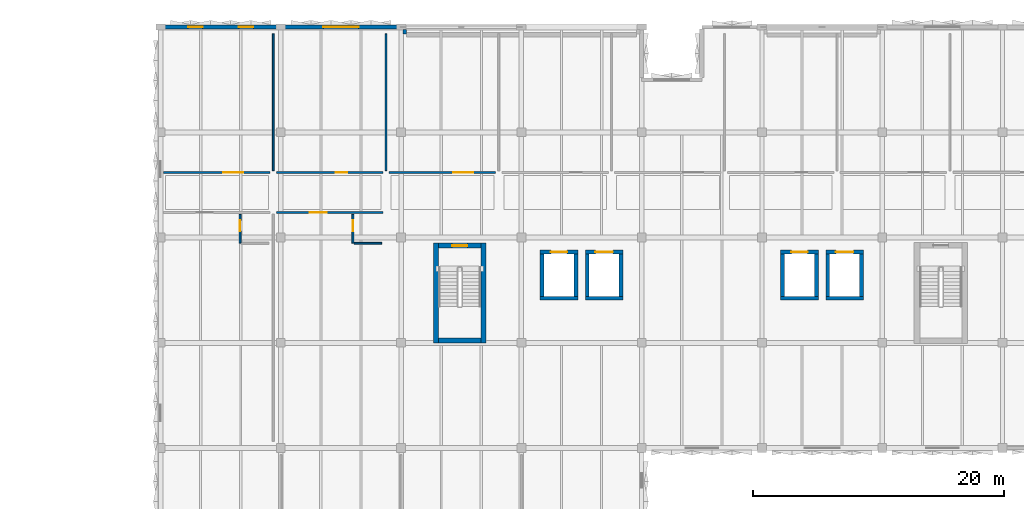
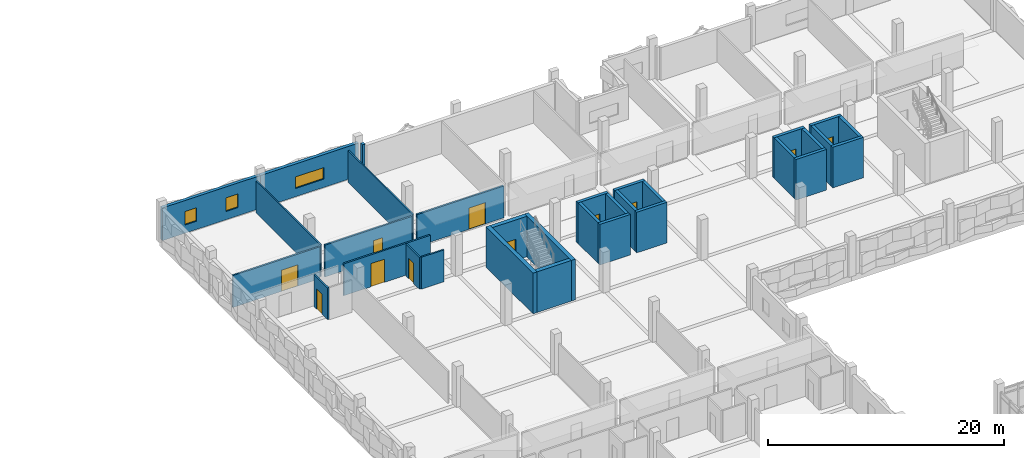
# One storey, part 45 of 57: 32 walls, 11 doors, 3 windows, 14 openings.
"""IFC4 building model written with IfcOpenShell, lengths in metres."""

from ifc_helpers import new_model, si_unit, direction, frame, frame_2d, origin, place, context, subcontext, project, spatial, rectangle, extrude, material, layer, layer_set, type_object, element, fill, save


model = new_model("IFC4")

# Units and contexts
model_context = context("Model", 3, precision=1e-05, world=origin(), true_north=direction((0.0, 1.0)))
body_context = subcontext(model_context, "Body", "Model", "MODEL_VIEW")
ifc_project = project(units=[si_unit("LENGTHUNIT", "METRE"), si_unit("AREAUNIT", "SQUARE_METRE"), si_unit("VOLUMEUNIT", "CUBIC_METRE"), si_unit("PLANEANGLEUNIT", "RADIAN"), si_unit("MASSUNIT", "GRAM", prefix="KILO")], contexts=[model_context])

# Site, building, storey
site_placement = place(None, origin())
site = spatial("IfcSite", under=ifc_project, at=site_placement, CompositionType="ELEMENT")
building_placement = place(site_placement, origin())
building = spatial("IfcBuilding", under=site, at=building_placement, Name="Oolite Switchyard Hospital", CompositionType="ELEMENT")
storey_placement = place(building_placement, frame((0.0, 0.0, 17.800048828125)))
storey = spatial("IfcBuildingStorey", under=building, at=storey_placement, Name="L04", CompositionType="ELEMENT", Elevation=17.800048828125)

# Wall
ifc_material_1 = material(Name="Precast oolitic limestone architectural concrete C40/50", Category="masonry")
ifc_layer_1 = layer(ifc_material_1, 0.260009765625)
ifc_layer_set_1 = layer_set([ifc_layer_1], Name="WAL-EXT-260")
wall_type_1 = type_object("IfcWallType", Name="WAL-EXT-260", PredefinedType="SOLIDWALL", material=ifc_layer_set_1)
wall_1_placement = place(storey_placement, frame((153.8798828125, 134.199951171875, 0.0), z_axis=(0.0, 0.0, 1.0), x_axis=(0.0, -1.0, 0.0)))
element("IfcWall", 1, at=wall_1_placement, inside=storey, type_object=wall_type_1, Name="L04 Brace Alcove Cheek Wall 273", PredefinedType="SOLIDWALL", context=body_context, shape_type="SweptSolid", body=[
    extrude(rectangle(XDim=0.35986328125, YDim=0.260009765625, at=frame_2d((0.179931640625, 0.0))), origin(), (0.0, 0.0, 1.0), 3.389892578125),
])

# Wall, openings, windows
ifc_layer_2 = layer(ifc_material_1, 0.300048828125)
ifc_layer_set_2 = layer_set([ifc_layer_2], Name="WAL-EXT-300")
wall_type_2 = type_object("IfcWallType", Name="WAL-EXT-300", PredefinedType="SOLIDWALL", material=ifc_layer_set_2)
wall_2_placement = place(storey_placement, frame((134.39990234375, 134.39990234375, 0.0), z_axis=(0.0, 0.0, 1.0), x_axis=(1.0, 0.0, 0.0)))
wall_2 = element("IfcWall", 2, at=wall_2_placement, inside=storey, type_object=wall_type_2, Name="L04 Exterior Spandrel Wall 271", PredefinedType="SOLIDWALL", context=body_context, shape_type="SweptSolid", body=[
    extrude(rectangle(XDim=9.60009765625, YDim=0.300048828125, at=frame_2d((4.800048828125, 0.0))), origin(), (0.0, 0.0, 1.0), 3.389892578125),
])
opening_1_placement = place(wall_2_placement, frame((2.197021484375, 0.0, 0.85009765625)))
opening_1 = element("IfcOpeningElement", 3, at=opening_1_placement, cuts=wall_2, Name="Opening WN-0166", PredefinedType="OPENING", context=body_context, shape_type="SweptSolid", body=[
    extrude(rectangle(XDim=1.14990234375, YDim=1.39990234375, at=frame_2d((0.574951171875, 0.699951171875))), frame((0.0, 0.16015625, 0.0), z_axis=(0.0, -1.0, 0.0), x_axis=(1.0, 0.0, 0.0)), (0.0, 0.0, 1.0), 0.320068359375),
])
opening_2_placement = place(wall_2_placement, frame((6.2529296875, 0.0, 0.85009765625)))
opening_2 = element("IfcOpeningElement", 4, at=opening_2_placement, cuts=wall_2, Name="Opening WN-0167", PredefinedType="OPENING", context=body_context, shape_type="SweptSolid", body=[
    extrude(rectangle(XDim=1.14990234375, YDim=1.39990234375, at=frame_2d((0.574951171875, 0.699951171875))), frame((0.0, 0.16015625, 0.0), z_axis=(0.0, -1.0, 0.0), x_axis=(1.0, 0.0, 0.0)), (0.0, 0.0, 1.0), 0.320068359375),
])
ifc_material_2 = material(Name="Thermally broken aluminum frame with laminated impact glazing", Category="aluminium")
window_type_1 = type_object("IfcWindowType", Name="WIN-IMP-115X140", PartitioningType="SINGLE_PANEL", PredefinedType="WINDOW", material=ifc_material_2)
window_1_placement = place(opening_1_placement, origin())
window_1 = element("IfcWindow", 5, at=window_1_placement, inside=storey, type_object=window_type_1, Name="L04 Hurricane Impact Window WN-0166", OverallHeight=1.39990234375, OverallWidth=1.14990234375, PartitioningType="SINGLE_PANEL", PredefinedType="WINDOW", context=body_context, shape_type="SweptSolid", body=[
    extrude(rectangle(XDim=1.14990234375, YDim=1.39990234375, at=frame_2d((0.574951171875, 0.699951171875))), frame((0.0, 0.030029296875, 0.0), z_axis=(0.0, -1.0, 0.0), x_axis=(1.0, 0.0, 0.0)), (0.0, 0.0, 1.0), 0.06005859375),
])
fill(opening_1, window_1)
window_2_placement = place(opening_2_placement, origin())
window_2 = element("IfcWindow", 6, at=window_2_placement, inside=storey, type_object=window_type_1, Name="L04 Hurricane Impact Window WN-0167", OverallHeight=1.39990234375, OverallWidth=1.14990234375, PartitioningType="SINGLE_PANEL", PredefinedType="WINDOW", context=body_context, shape_type="SweptSolid", body=[
    extrude(rectangle(XDim=1.14990234375, YDim=1.39990234375, at=frame_2d((0.574951171875, 0.699951171875))), frame((0.0, 0.030029296875, 0.0), z_axis=(0.0, -1.0, 0.0), x_axis=(1.0, 0.0, 0.0)), (0.0, 0.0, 1.0), 0.06005859375),
])
fill(opening_2, window_2)

# Wall, opening, window
ifc_layer_3 = layer(ifc_material_1, 0.320068359375)
ifc_layer_set_3 = layer_set([ifc_layer_3], Name="WAL-EXT-320")
wall_type_3 = type_object("IfcWallType", Name="WAL-EXT-320", PredefinedType="SOLIDWALL", material=ifc_layer_set_3)
wall_3_placement = place(storey_placement, frame((144.0, 134.39990234375, 0.0), z_axis=(0.0, 0.0, 1.0), x_axis=(1.0, 0.0, 0.0)))
wall_3 = element("IfcWall", 7, at=wall_3_placement, inside=storey, type_object=wall_type_3, Name="L04 Exterior Spandrel Wall 272", PredefinedType="SOLIDWALL", context=body_context, shape_type="SweptSolid", body=[
    extrude(rectangle(XDim=9.60009765625, YDim=0.320068359375, at=frame_2d((4.800048828125, 0.0))), origin(), (0.0, 0.0, 1.0), 3.389892578125),
])
opening_3_placement = place(wall_3_placement, frame((3.39990234375, 0.0, 0.85009765625)))
opening_3 = element("IfcOpeningElement", 8, at=opening_3_placement, cuts=wall_3, Name="Opening WN-0168", PredefinedType="OPENING", context=body_context, shape_type="SweptSolid", body=[
    extrude(rectangle(XDim=2.800048828125, YDim=1.199951171875, at=frame_2d((1.39990234375, 0.60009765625))), frame((0.0, 0.169921875, 0.0), z_axis=(0.0, -1.0, 0.0), x_axis=(1.0, 0.0, 0.0)), (0.0, 0.0, 1.0), 0.340087890625),
])
window_type_2 = type_object("IfcWindowType", Name="WIN-IMP-280X120", PartitioningType="SINGLE_PANEL", PredefinedType="WINDOW", material=ifc_material_2)
window_3_placement = place(opening_3_placement, origin())
window_3 = element("IfcWindow", 9, at=window_3_placement, inside=storey, type_object=window_type_2, Name="L04 Hurricane Impact Window WN-0168", OverallHeight=1.199951171875, OverallWidth=2.800048828125, PartitioningType="SINGLE_PANEL", PredefinedType="WINDOW", context=body_context, shape_type="SweptSolid", body=[
    extrude(rectangle(XDim=2.800048828125, YDim=1.199951171875, at=frame_2d((1.39990234375, 0.60009765625))), frame((0.0, 0.030029296875, 0.0), z_axis=(0.0, -1.0, 0.0), x_axis=(1.0, 0.0, 0.0)), (0.0, 0.0, 1.0), 0.06005859375),
])
fill(opening_3, window_3)

# Walls
ifc_material_3 = material(Name="Moisture-resistant gypsum board on steel studs", Category="steel")
ifc_layer_4 = layer(ifc_material_3, 0.135009765625)
ifc_layer_set_4 = layer_set([ifc_layer_4], Name="WAL-PART-135")
wall_type_4 = type_object("IfcWallType", Name="WAL-PART-135", PredefinedType="PARTITIONING", material=ifc_layer_set_4)
for number, where, z_axis, x_axis, name in (
    (10, (143.39990234375, 122.949951171875, 0.0), (0.0, 0.0, 1.0), (0.0, 1.0, 0.0), "L04 Interior Partition 772"),
    (11, (152.39990234375, 122.949951171875, 0.0), (0.0, 0.0, 1.0), (0.0, 1.0, 0.0), "L04 Interior Partition 774"),
):
    element("IfcWall", number, at=place(storey_placement, frame(where, z_axis=z_axis, x_axis=x_axis)), inside=storey, type_object=wall_type_4, Name=name, PredefinedType="PARTITIONING", context=body_context, shape_type="SweptSolid", body=[
        extrude(rectangle(XDim=10.900146484375, YDim=0.135009765625, at=frame_2d((5.4501953125, 0.0))), origin(), (0.0, 0.0, 1.0), 3.300048828125),
    ])

# Wall, opening, door
ifc_layer_5 = layer(ifc_material_3, 0.14990234375)
ifc_layer_set_5 = layer_set([ifc_layer_5], Name="WAL-PART-150")
wall_type_5 = type_object("IfcWallType", Name="WAL-PART-150", PredefinedType="PARTITIONING", material=ifc_layer_set_5)
wall_4_placement = place(storey_placement, frame((140.75, 117.14990234375, 0.0), z_axis=(0.0, 0.0, 1.0), x_axis=(0.0, 1.0, 0.0)))
wall_4 = element("IfcWall", 12, at=wall_4_placement, inside=storey, type_object=wall_type_5, Name="L04 Interior Partition 764", PredefinedType="PARTITIONING", context=body_context, shape_type="SweptSolid", body=[
    extrude(rectangle(XDim=2.300048828125, YDim=0.14990234375, at=frame_2d((1.14990234375, 0.0))), origin(), (0.0, 0.0, 1.0), 3.300048828125),
])
opening_4_placement = place(wall_4_placement, frame((0.949951171875, 0.0, 0.0)))
opening_4 = element("IfcOpeningElement", 13, at=opening_4_placement, cuts=wall_4, Name="Opening D-0425", PredefinedType="OPENING", context=body_context, shape_type="SweptSolid", body=[
    extrude(rectangle(XDim=0.89990234375, YDim=2.10009765625, at=frame_2d((0.449951171875, 1.050048828125))), frame((0.0, 0.0849609375, 0.0), z_axis=(0.0, -1.0, 0.0), x_axis=(1.0, 0.0, 0.0)), (0.0, 0.0, 1.0), 0.169921875),
])
ifc_material_4 = material(Name="Solid-core antimicrobial hardwood leaf in steel frame", Category="steel")
door_type_1 = type_object("IfcDoorType", Name="DR-BATH-090X210", OperationType="NOTDEFINED", PredefinedType="DOOR", material=ifc_material_4)
door_1_placement = place(opening_4_placement, origin())
door_1 = element("IfcDoor", 14, at=door_1_placement, inside=storey, type_object=door_type_1, Name="L04 Interior Door D-0425", OperationType="SINGLE_SWING_RIGHT", OverallHeight=2.10009765625, OverallWidth=0.89990234375, PredefinedType="DOOR", context=body_context, shape_type="SweptSolid", body=[
    extrude(rectangle(XDim=0.89990234375, YDim=2.10009765625, at=frame_2d((0.449951171875, 1.050048828125))), frame((0.0, 0.02490234375, 0.0), z_axis=(0.0, -1.0, 0.0), x_axis=(1.0, 0.0, 0.0)), (0.0, 0.0, 1.0), 0.050048828125),
])
fill(opening_4, door_1)

wall_5_placement = place(storey_placement, frame((149.75, 117.14990234375, 0.0), z_axis=(0.0, 0.0, 1.0), x_axis=(0.0, 1.0, 0.0)))
wall_5 = element("IfcWall", 15, at=wall_5_placement, inside=storey, type_object=wall_type_5, Name="L04 Interior Partition 768", PredefinedType="PARTITIONING", context=body_context, shape_type="SweptSolid", body=[
    extrude(rectangle(XDim=2.300048828125, YDim=0.14990234375, at=frame_2d((1.14990234375, 0.0))), origin(), (0.0, 0.0, 1.0), 3.300048828125),
])
opening_5_placement = place(wall_5_placement, frame((0.949951171875, 0.0, 0.0)))
opening_5 = element("IfcOpeningElement", 16, at=opening_5_placement, cuts=wall_5, Name="Opening D-0428", PredefinedType="OPENING", context=body_context, shape_type="SweptSolid", body=[
    extrude(rectangle(XDim=0.89990234375, YDim=2.10009765625, at=frame_2d((0.449951171875, 1.050048828125))), frame((0.0, 0.0849609375, 0.0), z_axis=(0.0, -1.0, 0.0), x_axis=(1.0, 0.0, 0.0)), (0.0, 0.0, 1.0), 0.169921875),
])
door_2_placement = place(opening_5_placement, origin())
door_2 = element("IfcDoor", 17, at=door_2_placement, inside=storey, type_object=door_type_1, Name="L04 Interior Door D-0428", OperationType="SINGLE_SWING_LEFT", OverallHeight=2.10009765625, OverallWidth=0.89990234375, PredefinedType="DOOR", context=body_context, shape_type="SweptSolid", body=[
    extrude(rectangle(XDim=0.89990234375, YDim=2.10009765625, at=frame_2d((0.449951171875, 1.050048828125))), frame((0.0, 0.02490234375, 0.0), z_axis=(0.0, -1.0, 0.0), x_axis=(1.0, 0.0, 0.0)), (0.0, 0.0, 1.0), 0.050048828125),
])
fill(opening_5, door_2)

# Wall
wall_6_placement = place(storey_placement, frame((149.85009765625, 117.14990234375, 0.0), z_axis=(0.0, 0.0, 1.0), x_axis=(1.0, 0.0, 0.0)))
element("IfcWall", 18, at=wall_6_placement, inside=storey, type_object=wall_type_5, Name="L04 Interior Partition 769", PredefinedType="PARTITIONING", context=body_context, shape_type="SweptSolid", body=[
    extrude(rectangle(XDim=2.199951171875, YDim=0.14990234375, at=frame_2d((1.10009765625, 0.0))), origin(), (0.0, 0.0, 1.0), 3.300048828125),
])

# Wall, opening, door
ifc_layer_6 = layer(ifc_material_3, 0.1650390625)
ifc_layer_set_6 = layer_set([ifc_layer_6], Name="WAL-PART-165")
wall_type_6 = type_object("IfcWallType", Name="WAL-PART-165", PredefinedType="PARTITIONING", material=ifc_layer_set_6)
wall_7_placement = place(storey_placement, frame((134.64990234375, 122.800048828125, 0.0), z_axis=(0.0, 0.0, 1.0), x_axis=(1.0, 0.0, 0.0)))
wall_7 = element("IfcWall", 19, at=wall_7_placement, inside=storey, type_object=wall_type_6, Name="L04 Interior Partition 766", PredefinedType="PARTITIONING", context=body_context, shape_type="SweptSolid", body=[
    extrude(rectangle(XDim=8.5, YDim=0.1650390625, at=frame_2d((4.25, 0.0))), origin(), (0.0, 0.0, 1.0), 3.300048828125),
])
opening_6_placement = place(wall_7_placement, frame((4.75, 0.0, 0.0)))
opening_6 = element("IfcOpeningElement", 20, at=opening_6_placement, cuts=wall_7, Name="Opening D-0426", PredefinedType="OPENING", context=body_context, shape_type="SweptSolid", body=[
    extrude(rectangle(XDim=1.60009765625, YDim=2.199951171875, at=frame_2d((0.800048828125, 1.10009765625))), frame((0.0, 0.092529296875, 0.0), z_axis=(0.0, -1.0, 0.0), x_axis=(1.0, 0.0, 0.0)), (0.0, 0.0, 1.0), 0.18505859375),
])
ifc_material_5 = material(Name="Hollow metal fire-rated steel door assembly", Category="steel")
door_type_2 = type_object("IfcDoorType", Name="DR-DBL-160X220", OperationType="NOTDEFINED", PredefinedType="DOOR", material=ifc_material_5)
door_3_placement = place(opening_6_placement, origin())
door_3 = element("IfcDoor", 21, at=door_3_placement, inside=storey, type_object=door_type_2, Name="L04 Interior Door D-0426", OperationType="DOUBLE_DOOR_SINGLE_SWING", OverallHeight=2.199951171875, OverallWidth=1.60009765625, PredefinedType="DOOR", context=body_context, shape_type="SweptSolid", body=[
    extrude(rectangle(XDim=1.60009765625, YDim=2.199951171875, at=frame_2d((0.800048828125, 1.10009765625))), frame((0.0, 0.02490234375, 0.0), z_axis=(0.0, -1.0, 0.0), x_axis=(1.0, 0.0, 0.0)), (0.0, 0.0, 1.0), 0.050048828125),
])
fill(opening_6, door_3)

wall_8_placement = place(storey_placement, frame((143.64990234375, 119.60009765625, 0.0), z_axis=(0.0, 0.0, 1.0), x_axis=(1.0, 0.0, 0.0)))
wall_8 = element("IfcWall", 22, at=wall_8_placement, inside=storey, type_object=wall_type_6, Name="L04 Interior Partition 767", PredefinedType="PARTITIONING", context=body_context, shape_type="SweptSolid", body=[
    extrude(rectangle(XDim=8.5, YDim=0.1650390625, at=frame_2d((4.25, 0.0))), origin(), (0.0, 0.0, 1.0), 3.300048828125),
])
opening_7_placement = place(wall_8_placement, frame((2.64990234375, 0.0, 0.0)))
opening_7 = element("IfcOpeningElement", 23, at=opening_7_placement, cuts=wall_8, Name="Opening D-0427", PredefinedType="OPENING", context=body_context, shape_type="SweptSolid", body=[
    extrude(rectangle(XDim=1.35009765625, YDim=2.39990234375, at=frame_2d((0.675048828125, 1.199951171875))), frame((0.0, 0.092529296875, 0.0), z_axis=(0.0, -1.0, 0.0), x_axis=(1.0, 0.0, 0.0)), (0.0, 0.0, 1.0), 0.18505859375),
])
door_type_3 = type_object("IfcDoorType", Name="DR-ICU-135X240", OperationType="NOTDEFINED", PredefinedType="DOOR", material=ifc_material_4)
door_4_placement = place(opening_7_placement, origin())
door_4 = element("IfcDoor", 24, at=door_4_placement, inside=storey, type_object=door_type_3, Name="L04 Interior Door D-0427", OperationType="SINGLE_SWING_RIGHT", OverallHeight=2.39990234375, OverallWidth=1.35009765625, PredefinedType="DOOR", context=body_context, shape_type="SweptSolid", body=[
    extrude(rectangle(XDim=1.35009765625, YDim=2.39990234375, at=frame_2d((0.675048828125, 1.199951171875))), frame((0.0, 0.02490234375, 0.0), z_axis=(0.0, -1.0, 0.0), x_axis=(1.0, 0.0, 0.0)), (0.0, 0.0, 1.0), 0.050048828125),
])
fill(opening_7, door_4)

wall_9_placement = place(storey_placement, frame((143.64990234375, 122.800048828125, 0.0), z_axis=(0.0, 0.0, 1.0), x_axis=(1.0, 0.0, 0.0)))
wall_9 = element("IfcWall", 25, at=wall_9_placement, inside=storey, type_object=wall_type_6, Name="L04 Interior Partition 771", PredefinedType="PARTITIONING", context=body_context, shape_type="SweptSolid", body=[
    extrude(rectangle(XDim=8.5, YDim=0.1650390625, at=frame_2d((4.25, 0.0))), origin(), (0.0, 0.0, 1.0), 3.300048828125),
])
opening_8_placement = place(wall_9_placement, frame((4.75, 0.0, 0.0)))
opening_8 = element("IfcOpeningElement", 26, at=opening_8_placement, cuts=wall_9, Name="Opening D-0429", PredefinedType="OPENING", context=body_context, shape_type="SweptSolid", body=[
    extrude(rectangle(XDim=0.89990234375, YDim=2.10009765625, at=frame_2d((0.449951171875, 1.050048828125))), frame((0.0, 0.092529296875, 0.0), z_axis=(0.0, -1.0, 0.0), x_axis=(1.0, 0.0, 0.0)), (0.0, 0.0, 1.0), 0.18505859375),
])
door_5_placement = place(opening_8_placement, origin())
door_5 = element("IfcDoor", 27, at=door_5_placement, inside=storey, type_object=door_type_1, Name="L04 Interior Door D-0429", OperationType="SINGLE_SWING_LEFT", OverallHeight=2.10009765625, OverallWidth=0.89990234375, PredefinedType="DOOR", context=body_context, shape_type="SweptSolid", body=[
    extrude(rectangle(XDim=0.89990234375, YDim=2.10009765625, at=frame_2d((0.449951171875, 1.050048828125))), frame((0.0, 0.02490234375, 0.0), z_axis=(0.0, -1.0, 0.0), x_axis=(1.0, 0.0, 0.0)), (0.0, 0.0, 1.0), 0.050048828125),
])
fill(opening_8, door_5)

wall_10_placement = place(storey_placement, frame((152.64990234375, 122.800048828125, 0.0), z_axis=(0.0, 0.0, 1.0), x_axis=(1.0, 0.0, 0.0)))
wall_10 = element("IfcWall", 28, at=wall_10_placement, inside=storey, type_object=wall_type_6, Name="L04 Interior Partition 773", PredefinedType="PARTITIONING", context=body_context, shape_type="SweptSolid", body=[
    extrude(rectangle(XDim=8.5, YDim=0.1650390625, at=frame_2d((4.25, 0.0))), origin(), (0.0, 0.0, 1.0), 3.300048828125),
])
opening_9_placement = place(wall_10_placement, frame((5.10009765625, 0.0, 0.0)))
opening_9 = element("IfcOpeningElement", 29, at=opening_9_placement, cuts=wall_10, Name="Opening D-0430", PredefinedType="OPENING", context=body_context, shape_type="SweptSolid", body=[
    extrude(rectangle(XDim=1.60009765625, YDim=2.199951171875, at=frame_2d((0.800048828125, 1.10009765625))), frame((0.0, 0.092529296875, 0.0), z_axis=(0.0, -1.0, 0.0), x_axis=(1.0, 0.0, 0.0)), (0.0, 0.0, 1.0), 0.18505859375),
])
door_6_placement = place(opening_9_placement, origin())
door_6 = element("IfcDoor", 30, at=door_6_placement, inside=storey, type_object=door_type_2, Name="L04 Interior Door D-0430", OperationType="DOUBLE_DOOR_SINGLE_SWING", OverallHeight=2.199951171875, OverallWidth=1.60009765625, PredefinedType="DOOR", context=body_context, shape_type="SweptSolid", body=[
    extrude(rectangle(XDim=1.60009765625, YDim=2.199951171875, at=frame_2d((0.800048828125, 1.10009765625))), frame((0.0, 0.02490234375, 0.0), z_axis=(0.0, -1.0, 0.0), x_axis=(1.0, 0.0, 0.0)), (0.0, 0.0, 1.0), 0.050048828125),
])
fill(opening_9, door_6)

# Walls
ifc_material_6 = material(Name="Concrete C50/60", Category="concrete")
ifc_layer_7 = layer(ifc_material_6, 0.300048828125)
ifc_layer_set_7 = layer_set([ifc_layer_7], Name="WAL-SHR-300")
wall_type_7 = type_object("IfcWallType", Name="WAL-SHR-300", PredefinedType="SHEAR", material=ifc_layer_set_7)
wall_11_placement = place(storey_placement, frame((164.699951171875, 112.75, 0.0), z_axis=(0.0, 0.0, 1.0), x_axis=(1.0, 0.0, 0.0)))
element("IfcWall", 31, at=wall_11_placement, inside=storey, type_object=wall_type_7, Name="L04 Lift Shaft Shear Wall EL-01", PredefinedType="SHEAR", context=body_context, shape_type="SweptSolid", body=[
    extrude(rectangle(XDim=3.0, YDim=0.300048828125, at=frame_2d((1.5, 0.0))), origin(), (0.0, 0.0, 1.0), 4.199951171875),
])
wall_12_placement = place(storey_placement, frame((167.550048828125, 112.89990234375, 0.0), z_axis=(0.0, 0.0, 1.0), x_axis=(0.0, 1.0, 0.0)))
element("IfcWall", 32, at=wall_12_placement, inside=storey, type_object=wall_type_7, Name="L04 Lift Shaft Shear Wall EL-01", PredefinedType="SHEAR", context=body_context, shape_type="SweptSolid", body=[
    extrude(rectangle(XDim=3.400146484375, YDim=0.300048828125, at=frame_2d((1.7001953125, 0.0))), origin(), (0.0, 0.0, 1.0), 4.199951171875),
])

# Wall, opening, door
wall_13_placement = place(storey_placement, frame((167.699951171875, 116.449951171875, 0.0), z_axis=(0.0, 0.0, 1.0), x_axis=(-1.0, 0.0, 0.0)))
wall_13 = element("IfcWall", 33, at=wall_13_placement, inside=storey, type_object=wall_type_7, Name="L04 Lift Shaft Shear Wall EL-01", PredefinedType="SHEAR", context=body_context, shape_type="SweptSolid", body=[
    extrude(rectangle(XDim=3.0, YDim=0.300048828125, at=frame_2d((1.5, 0.0))), origin(), (0.0, 0.0, 1.0), 4.199951171875),
])
opening_10_placement = place(wall_13_placement, frame((0.85009765625, 0.0, 0.0)))
opening_10 = element("IfcOpeningElement", 34, at=opening_10_placement, cuts=wall_13, Name="Opening LD-005", PredefinedType="OPENING", context=body_context, shape_type="SweptSolid", body=[
    extrude(rectangle(XDim=1.300048828125, YDim=2.300048828125, at=frame_2d((0.64990234375, 1.14990234375))), frame((0.0, 0.16015625, 0.0), z_axis=(0.0, -1.0, 0.0), x_axis=(1.0, 0.0, 0.0)), (0.0, 0.0, 1.0), 0.320068359375),
])
ifc_material_7 = material(Name="Brushed stainless steel fire-rated sliding landing door", Category="steel")
door_type_4 = type_object("IfcDoorType", Name="DR-LD-130X230", OperationType="NOTDEFINED", PredefinedType="DOOR", material=ifc_material_7)
door_7_placement = place(opening_10_placement, origin())
door_7 = element("IfcDoor", 35, at=door_7_placement, inside=storey, type_object=door_type_4, Name="L04 EL-01 Lift Landing Door LD-005", OperationType="SLIDING_TO_LEFT", OverallHeight=2.300048828125, OverallWidth=1.300048828125, PredefinedType="DOOR", context=body_context, shape_type="SweptSolid", body=[
    extrude(rectangle(XDim=1.300048828125, YDim=2.300048828125, at=frame_2d((0.64990234375, 1.14990234375))), frame((0.0, 0.02490234375, 0.0), z_axis=(0.0, -1.0, 0.0), x_axis=(1.0, 0.0, 0.0)), (0.0, 0.0, 1.0), 0.050048828125),
])
fill(opening_10, door_7)

# Walls
wall_14_placement = place(storey_placement, frame((164.85009765625, 116.300048828125, 0.0), z_axis=(0.0, 0.0, 1.0), x_axis=(0.0, -1.0, 0.0)))
element("IfcWall", 36, at=wall_14_placement, inside=storey, type_object=wall_type_7, Name="L04 Lift Shaft Shear Wall EL-01", PredefinedType="SHEAR", context=body_context, shape_type="SweptSolid", body=[
    extrude(rectangle(XDim=3.400146484375, YDim=0.300048828125, at=frame_2d((1.7001953125, 0.0))), origin(), (0.0, 0.0, 1.0), 4.199951171875),
])
wall_15_placement = place(storey_placement, frame((168.300048828125, 112.75, 0.0), z_axis=(0.0, 0.0, 1.0), x_axis=(1.0, 0.0, 0.0)))
element("IfcWall", 37, at=wall_15_placement, inside=storey, type_object=wall_type_7, Name="L04 Lift Shaft Shear Wall EL-02", PredefinedType="SHEAR", context=body_context, shape_type="SweptSolid", body=[
    extrude(rectangle(XDim=3.0, YDim=0.300048828125, at=frame_2d((1.5, 0.0))), origin(), (0.0, 0.0, 1.0), 4.199951171875),
])
wall_16_placement = place(storey_placement, frame((171.14990234375, 112.89990234375, 0.0), z_axis=(0.0, 0.0, 1.0), x_axis=(0.0, 1.0, 0.0)))
element("IfcWall", 38, at=wall_16_placement, inside=storey, type_object=wall_type_7, Name="L04 Lift Shaft Shear Wall EL-02", PredefinedType="SHEAR", context=body_context, shape_type="SweptSolid", body=[
    extrude(rectangle(XDim=3.400146484375, YDim=0.300048828125, at=frame_2d((1.7001953125, 0.0))), origin(), (0.0, 0.0, 1.0), 4.199951171875),
])

# Wall, opening, door
wall_17_placement = place(storey_placement, frame((171.300048828125, 116.449951171875, 0.0), z_axis=(0.0, 0.0, 1.0), x_axis=(-1.0, 0.0, 0.0)))
wall_17 = element("IfcWall", 39, at=wall_17_placement, inside=storey, type_object=wall_type_7, Name="L04 Lift Shaft Shear Wall EL-02", PredefinedType="SHEAR", context=body_context, shape_type="SweptSolid", body=[
    extrude(rectangle(XDim=3.0, YDim=0.300048828125, at=frame_2d((1.5, 0.0))), origin(), (0.0, 0.0, 1.0), 4.199951171875),
])
opening_11_placement = place(wall_17_placement, frame((0.800048828125, 0.0, 0.0)))
opening_11 = element("IfcOpeningElement", 40, at=opening_11_placement, cuts=wall_17, Name="Opening LD-014", PredefinedType="OPENING", context=body_context, shape_type="SweptSolid", body=[
    extrude(rectangle(XDim=1.39990234375, YDim=2.300048828125, at=frame_2d((0.699951171875, 1.14990234375))), frame((0.0, 0.16015625, 0.0), z_axis=(0.0, -1.0, 0.0), x_axis=(1.0, 0.0, 0.0)), (0.0, 0.0, 1.0), 0.320068359375),
])
door_type_5 = type_object("IfcDoorType", Name="DR-LD-140X230", OperationType="NOTDEFINED", PredefinedType="DOOR", material=ifc_material_7)
door_8_placement = place(opening_11_placement, origin())
door_8 = element("IfcDoor", 41, at=door_8_placement, inside=storey, type_object=door_type_5, Name="L04 EL-02 Lift Landing Door LD-014", OperationType="SLIDING_TO_RIGHT", OverallHeight=2.300048828125, OverallWidth=1.39990234375, PredefinedType="DOOR", context=body_context, shape_type="SweptSolid", body=[
    extrude(rectangle(XDim=1.39990234375, YDim=2.300048828125, at=frame_2d((0.699951171875, 1.14990234375))), frame((0.0, 0.02490234375, 0.0), z_axis=(0.0, -1.0, 0.0), x_axis=(1.0, 0.0, 0.0)), (0.0, 0.0, 1.0), 0.050048828125),
])
fill(opening_11, door_8)

# Walls
wall_18_placement = place(storey_placement, frame((168.449951171875, 116.300048828125, 0.0), z_axis=(0.0, 0.0, 1.0), x_axis=(0.0, -1.0, 0.0)))
element("IfcWall", 42, at=wall_18_placement, inside=storey, type_object=wall_type_7, Name="L04 Lift Shaft Shear Wall EL-02", PredefinedType="SHEAR", context=body_context, shape_type="SweptSolid", body=[
    extrude(rectangle(XDim=3.400146484375, YDim=0.300048828125, at=frame_2d((1.7001953125, 0.0))), origin(), (0.0, 0.0, 1.0), 4.199951171875),
])
wall_19_placement = place(storey_placement, frame((183.89990234375, 112.75, 0.0), z_axis=(0.0, 0.0, 1.0), x_axis=(1.0, 0.0, 0.0)))
element("IfcWall", 43, at=wall_19_placement, inside=storey, type_object=wall_type_7, Name="L04 Lift Shaft Shear Wall EL-03", PredefinedType="SHEAR", context=body_context, shape_type="SweptSolid", body=[
    extrude(rectangle(XDim=3.0, YDim=0.300048828125, at=frame_2d((1.5, 0.0))), origin(), (0.0, 0.0, 1.0), 4.199951171875),
])
wall_20_placement = place(storey_placement, frame((186.75, 112.89990234375, 0.0), z_axis=(0.0, 0.0, 1.0), x_axis=(0.0, 1.0, 0.0)))
element("IfcWall", 44, at=wall_20_placement, inside=storey, type_object=wall_type_7, Name="L04 Lift Shaft Shear Wall EL-03", PredefinedType="SHEAR", context=body_context, shape_type="SweptSolid", body=[
    extrude(rectangle(XDim=3.400146484375, YDim=0.300048828125, at=frame_2d((1.7001953125, 0.0))), origin(), (0.0, 0.0, 1.0), 4.199951171875),
])

# Wall, opening, door
wall_21_placement = place(storey_placement, frame((186.89990234375, 116.449951171875, 0.0), z_axis=(0.0, 0.0, 1.0), x_axis=(-1.0, 0.0, 0.0)))
wall_21 = element("IfcWall", 45, at=wall_21_placement, inside=storey, type_object=wall_type_7, Name="L04 Lift Shaft Shear Wall EL-03", PredefinedType="SHEAR", context=body_context, shape_type="SweptSolid", body=[
    extrude(rectangle(XDim=3.0, YDim=0.300048828125, at=frame_2d((1.5, 0.0))), origin(), (0.0, 0.0, 1.0), 4.199951171875),
])
opening_12_placement = place(wall_21_placement, frame((0.85009765625, 0.0, 0.0)))
opening_12 = element("IfcOpeningElement", 46, at=opening_12_placement, cuts=wall_21, Name="Opening LD-023", PredefinedType="OPENING", context=body_context, shape_type="SweptSolid", body=[
    extrude(rectangle(XDim=1.300048828125, YDim=2.300048828125, at=frame_2d((0.64990234375, 1.14990234375))), frame((0.0, 0.16015625, 0.0), z_axis=(0.0, -1.0, 0.0), x_axis=(1.0, 0.0, 0.0)), (0.0, 0.0, 1.0), 0.320068359375),
])
door_9_placement = place(opening_12_placement, origin())
door_9 = element("IfcDoor", 47, at=door_9_placement, inside=storey, type_object=door_type_4, Name="L04 EL-03 Lift Landing Door LD-023", OperationType="SLIDING_TO_LEFT", OverallHeight=2.300048828125, OverallWidth=1.300048828125, PredefinedType="DOOR", context=body_context, shape_type="SweptSolid", body=[
    extrude(rectangle(XDim=1.300048828125, YDim=2.300048828125, at=frame_2d((0.64990234375, 1.14990234375))), frame((0.0, 0.02490234375, 0.0), z_axis=(0.0, -1.0, 0.0), x_axis=(1.0, 0.0, 0.0)), (0.0, 0.0, 1.0), 0.050048828125),
])
fill(opening_12, door_9)

# Walls
wall_22_placement = place(storey_placement, frame((184.050048828125, 116.300048828125, 0.0), z_axis=(0.0, 0.0, 1.0), x_axis=(0.0, -1.0, 0.0)))
element("IfcWall", 48, at=wall_22_placement, inside=storey, type_object=wall_type_7, Name="L04 Lift Shaft Shear Wall EL-03", PredefinedType="SHEAR", context=body_context, shape_type="SweptSolid", body=[
    extrude(rectangle(XDim=3.400146484375, YDim=0.300048828125, at=frame_2d((1.7001953125, 0.0))), origin(), (0.0, 0.0, 1.0), 4.199951171875),
])
wall_23_placement = place(storey_placement, frame((187.5, 112.75, 0.0), z_axis=(0.0, 0.0, 1.0), x_axis=(1.0, 0.0, 0.0)))
element("IfcWall", 49, at=wall_23_placement, inside=storey, type_object=wall_type_7, Name="L04 Lift Shaft Shear Wall EL-04", PredefinedType="SHEAR", context=body_context, shape_type="SweptSolid", body=[
    extrude(rectangle(XDim=3.0, YDim=0.300048828125, at=frame_2d((1.5, 0.0))), origin(), (0.0, 0.0, 1.0), 4.199951171875),
])
wall_24_placement = place(storey_placement, frame((190.35009765625, 112.89990234375, 0.0), z_axis=(0.0, 0.0, 1.0), x_axis=(0.0, 1.0, 0.0)))
element("IfcWall", 50, at=wall_24_placement, inside=storey, type_object=wall_type_7, Name="L04 Lift Shaft Shear Wall EL-04", PredefinedType="SHEAR", context=body_context, shape_type="SweptSolid", body=[
    extrude(rectangle(XDim=3.400146484375, YDim=0.300048828125, at=frame_2d((1.7001953125, 0.0))), origin(), (0.0, 0.0, 1.0), 4.199951171875),
])

# Wall, opening, door
wall_25_placement = place(storey_placement, frame((190.5, 116.449951171875, 0.0), z_axis=(0.0, 0.0, 1.0), x_axis=(-1.0, 0.0, 0.0)))
wall_25 = element("IfcWall", 51, at=wall_25_placement, inside=storey, type_object=wall_type_7, Name="L04 Lift Shaft Shear Wall EL-04", PredefinedType="SHEAR", context=body_context, shape_type="SweptSolid", body=[
    extrude(rectangle(XDim=3.0, YDim=0.300048828125, at=frame_2d((1.5, 0.0))), origin(), (0.0, 0.0, 1.0), 4.199951171875),
])
opening_13_placement = place(wall_25_placement, frame((0.800048828125, 0.0, 0.0)))
opening_13 = element("IfcOpeningElement", 52, at=opening_13_placement, cuts=wall_25, Name="Opening LD-031", PredefinedType="OPENING", context=body_context, shape_type="SweptSolid", body=[
    extrude(rectangle(XDim=1.39990234375, YDim=2.300048828125, at=frame_2d((0.699951171875, 1.14990234375))), frame((0.0, 0.16015625, 0.0), z_axis=(0.0, -1.0, 0.0), x_axis=(1.0, 0.0, 0.0)), (0.0, 0.0, 1.0), 0.320068359375),
])
door_10_placement = place(opening_13_placement, origin())
door_10 = element("IfcDoor", 53, at=door_10_placement, inside=storey, type_object=door_type_5, Name="L04 EL-04 Lift Landing Door LD-031", OperationType="SLIDING_TO_LEFT", OverallHeight=2.300048828125, OverallWidth=1.39990234375, PredefinedType="DOOR", context=body_context, shape_type="SweptSolid", body=[
    extrude(rectangle(XDim=1.39990234375, YDim=2.300048828125, at=frame_2d((0.699951171875, 1.14990234375))), frame((0.0, 0.02490234375, 0.0), z_axis=(0.0, -1.0, 0.0), x_axis=(1.0, 0.0, 0.0)), (0.0, 0.0, 1.0), 0.050048828125),
])
fill(opening_13, door_10)

# Walls
wall_26_placement = place(storey_placement, frame((187.64990234375, 116.300048828125, 0.0), z_axis=(0.0, 0.0, 1.0), x_axis=(0.0, -1.0, 0.0)))
element("IfcWall", 54, at=wall_26_placement, inside=storey, type_object=wall_type_7, Name="L04 Lift Shaft Shear Wall EL-04", PredefinedType="SHEAR", context=body_context, shape_type="SweptSolid", body=[
    extrude(rectangle(XDim=3.400146484375, YDim=0.300048828125, at=frame_2d((1.7001953125, 0.0))), origin(), (0.0, 0.0, 1.0), 4.199951171875),
])
ifc_layer_8 = layer(ifc_material_6, 0.39990234375)
ifc_layer_set_8 = layer_set([ifc_layer_8], Name="WAL-SHR-400")
wall_type_8 = type_object("IfcWallType", Name="WAL-SHR-400", PredefinedType="SHEAR", material=ifc_layer_set_8)
wall_27_placement = place(storey_placement, frame((156.39990234375, 117.14990234375, 0.0), z_axis=(0.0, 0.0, 1.0), x_axis=(0.0, -1.0, 0.0)))
element("IfcWall", 55, at=wall_27_placement, inside=storey, type_object=wall_type_8, Name="L04 Core Shear Wall ST-03", PredefinedType="SHEAR", context=body_context, shape_type="SweptSolid", body=[
    extrude(rectangle(XDim=7.949951171875, YDim=0.39990234375, at=frame_2d((3.97509765625, 0.0))), origin(), (0.0, 0.0, 1.0), 4.199951171875),
])
wall_28_placement = place(storey_placement, frame((156.60009765625, 109.39990234375, 0.0), z_axis=(0.0, 0.0, 1.0), x_axis=(1.0, 0.0, 0.0)))
element("IfcWall", 56, at=wall_28_placement, inside=storey, type_object=wall_type_8, Name="L04 Core Shear Wall ST-03", PredefinedType="SHEAR", context=body_context, shape_type="SweptSolid", body=[
    extrude(rectangle(XDim=3.35986328125, YDim=0.39990234375, at=frame_2d((1.679931640625, 0.0))), origin(), (0.0, 0.0, 1.0), 4.199951171875),
])
wall_29_placement = place(storey_placement, frame((160.159912109375, 109.199951171875, 0.0), z_axis=(0.0, 0.0, 1.0), x_axis=(0.0, 1.0, 0.0)))
element("IfcWall", 57, at=wall_29_placement, inside=storey, type_object=wall_type_8, Name="L04 Core Shear Wall ST-03", PredefinedType="SHEAR", context=body_context, shape_type="SweptSolid", body=[
    extrude(rectangle(XDim=7.949951171875, YDim=0.39990234375, at=frame_2d((3.97509765625, 0.0))), origin(), (0.0, 0.0, 1.0), 4.199951171875),
])

# Wall, opening, door
wall_30_placement = place(storey_placement, frame((159.9599609375, 116.949951171875, 0.0), z_axis=(0.0, 0.0, 1.0), x_axis=(-1.0, 0.0, 0.0)))
wall_30 = element("IfcWall", 58, at=wall_30_placement, inside=storey, type_object=wall_type_8, Name="L04 Core Shear Wall ST-03", PredefinedType="SHEAR", context=body_context, shape_type="SweptSolid", body=[
    extrude(rectangle(XDim=3.35986328125, YDim=0.39990234375, at=frame_2d((1.679931640625, 0.0))), origin(), (0.0, 0.0, 1.0), 4.199951171875),
])
opening_14_placement = place(wall_30_placement, frame((1.080078125, 0.0, 0.0)))
opening_14 = element("IfcOpeningElement", 59, at=opening_14_placement, cuts=wall_30, Name="Opening SD-019", PredefinedType="OPENING", context=body_context, shape_type="SweptSolid", body=[
    extrude(rectangle(XDim=1.199951171875, YDim=2.199951171875, at=frame_2d((0.60009765625, 1.10009765625))), frame((0.0, 0.2099609375, 0.0), z_axis=(0.0, -1.0, 0.0), x_axis=(1.0, 0.0, 0.0)), (0.0, 0.0, 1.0), 0.419921875),
])
door_type_6 = type_object("IfcDoorType", Name="DR-STR-120X220", OperationType="NOTDEFINED", PredefinedType="DOOR", material=ifc_material_5)
door_11_placement = place(opening_14_placement, origin())
door_11 = element("IfcDoor", 60, at=door_11_placement, inside=storey, type_object=door_type_6, Name="L04 ST-03 Exit Stair Door SD-019", OperationType="SINGLE_SWING_LEFT", OverallHeight=2.199951171875, OverallWidth=1.199951171875, PredefinedType="DOOR", context=body_context, shape_type="SweptSolid", body=[
    extrude(rectangle(XDim=1.199951171875, YDim=2.199951171875, at=frame_2d((0.60009765625, 1.10009765625))), frame((0.0, 0.02490234375, 0.0), z_axis=(0.0, -1.0, 0.0), x_axis=(1.0, 0.0, 0.0)), (0.0, 0.0, 1.0), 0.050048828125),
])
fill(opening_14, door_11)

save(model, "model.ifc")
